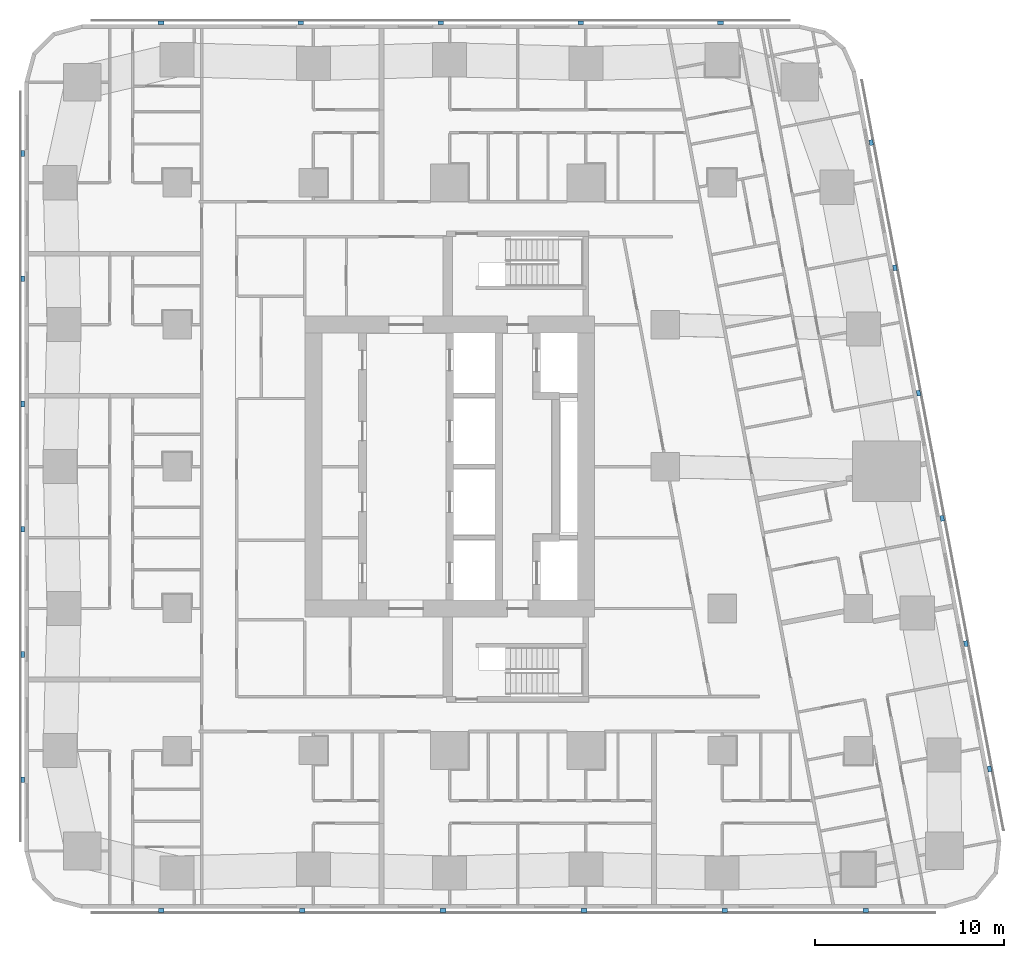
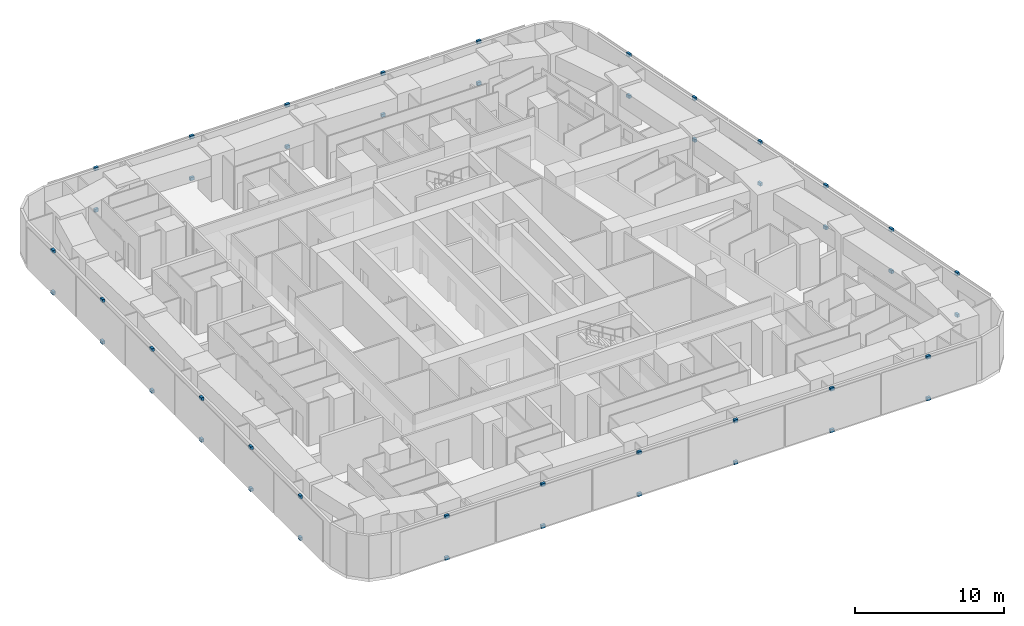
# One storey, part 11 of 14: 46 discrete accessories.
"""IFC4 building model written with IfcOpenShell, lengths in metres."""

from ifc_helpers import new_model, si_unit, direction, frame, origin, origin_2d, place, context, subcontext, project, spatial, rectangle, extrude, material, type_object, element, save


model = new_model("IFC4")

# Units and contexts
model_context = context("Model", 3, precision=1e-05, world=origin(), true_north=direction((0.0, 1.0)))
body_context = subcontext(model_context, "Body", "Model", "MODEL_VIEW")
ifc_project = project(units=[si_unit("LENGTHUNIT", "METRE"), si_unit("AREAUNIT", "SQUARE_METRE"), si_unit("VOLUMEUNIT", "CUBIC_METRE"), si_unit("PLANEANGLEUNIT", "RADIAN"), si_unit("MASSUNIT", "GRAM", prefix="KILO")], contexts=[model_context])

# Site, building, storey
site_placement = place(None, origin())
site = spatial("IfcSite", under=ifc_project, at=site_placement, CompositionType="ELEMENT")
building_placement = place(site_placement, origin())
building = spatial("IfcBuilding", under=site, at=building_placement, Name="Sheger Commons Tower", CompositionType="ELEMENT")
storey_placement = place(building_placement, frame((0.0, 0.0, 135.800048828125)))
storey = spatial("IfcBuildingStorey", under=building, at=storey_placement, Name="L34", CompositionType="ELEMENT", Elevation=135.800048828125)

# Discrete accessories
ifc_material = material(Name="Black painted steel bracket", Category="steel")
discrete_accessory_type = type_object("IfcDiscreteAccessoryType", Name="SCREEN BRACKET 300x200x250", PredefinedType="BRACKET", material=ifc_material)
for number, where, z_axis, x_axis, name in (
    (1, (6.37109375, -0.949951171875, -0.10009765625), (0.0, 0.0, 1.0), (1.0, 0.0, 0.0), "Solar screen foot bracket"),
    (2, (6.37109375, -0.949951171875, 3.300048828125), (0.0, 0.0, 1.0), (1.0, 0.0, 0.0), "Solar screen head bracket"),
    (3, (13.81396484375, -0.949951171875, -0.10009765625), (0.0, 0.0, 1.0), (1.0, 0.0, 0.0), "Solar screen foot bracket"),
    (4, (13.81396484375, -0.949951171875, 3.300048828125), (0.0, 0.0, 1.0), (1.0, 0.0, 0.0), "Solar screen head bracket"),
    (5, (21.257080078125, -0.949951171875, -0.10009765625), (0.0, 0.0, 1.0), (1.0, 0.0, 0.0), "Solar screen foot bracket"),
    (6, (21.257080078125, -0.949951171875, 3.300048828125), (0.0, 0.0, 1.0), (1.0, 0.0, 0.0), "Solar screen head bracket"),
    (7, (28.698974609375, -0.949951171875, -0.10009765625), (0.0, 0.0, 1.0), (1.0, 0.0, 0.0), "Solar screen foot bracket"),
    (8, (28.698974609375, -0.949951171875, 3.300048828125), (0.0, 0.0, 1.0), (1.0, 0.0, 0.0), "Solar screen head bracket"),
    (9, (36.14208984375, -0.949951171875, -0.10009765625), (0.0, 0.0, 1.0), (1.0, 0.0, 0.0), "Solar screen foot bracket"),
    (10, (36.14208984375, -0.949951171875, 3.300048828125), (0.0, 0.0, 1.0), (1.0, 0.0, 0.0), "Solar screen head bracket"),
    (11, (43.5849609375, -0.949951171875, -0.10009765625), (0.0, 0.0, 1.0), (1.0, 0.0, 0.0), "Solar screen foot bracket"),
    (12, (43.5849609375, -0.949951171875, 3.300048828125), (0.0, 0.0, 1.0), (1.0, 0.0, 0.0), "Solar screen head bracket"),
    (13, (50.134033203125, 6.527099609375, -0.10009765625), (0.0, 0.0, 1.0), (-0.185615165645, 0.982622516678, 0.0), "Solar screen foot bracket"),
    (14, (50.134033203125, 6.527099609375, 3.300048828125), (0.0, 0.0, 1.0), (-0.185615165645, 0.982622516678, 0.0), "Solar screen head bracket"),
    (15, (48.884033203125, 13.14599609375, -0.10009765625), (0.0, 0.0, 1.0), (-0.185615165645, 0.982622516678, 0.0), "Solar screen foot bracket"),
    (16, (48.884033203125, 13.14599609375, 3.300048828125), (0.0, 0.0, 1.0), (-0.185615165645, 0.982622516678, 0.0), "Solar screen head bracket"),
    (17, (47.633056640625, 19.76611328125, -0.10009765625), (0.0, 0.0, 1.0), (-0.185615165645, 0.982622516678, 0.0), "Solar screen foot bracket"),
    (18, (47.633056640625, 19.76611328125, 3.300048828125), (0.0, 0.0, 1.0), (-0.185615165645, 0.982622516678, 0.0), "Solar screen head bracket"),
    (19, (46.383056640625, 26.385009765625, -0.10009765625), (0.0, 0.0, 1.0), (-0.185615165645, 0.982622516678, 0.0), "Solar screen foot bracket"),
    (20, (46.383056640625, 26.385009765625, 3.300048828125), (0.0, 0.0, 1.0), (-0.185615165645, 0.982622516678, 0.0), "Solar screen head bracket"),
    (21, (45.133056640625, 33.0048828125, -0.10009765625), (0.0, 0.0, 1.0), (-0.185615165645, 0.982622516678, 0.0), "Solar screen foot bracket"),
    (22, (45.133056640625, 33.0048828125, 3.300048828125), (0.0, 0.0, 1.0), (-0.185615165645, 0.982622516678, 0.0), "Solar screen head bracket"),
    (23, (43.882080078125, 39.6240234375, -0.10009765625), (0.0, 0.0, 1.0), (-0.185615165645, 0.982622516678, 0.0), "Solar screen foot bracket"),
    (24, (43.882080078125, 39.6240234375, 3.300048828125), (0.0, 0.0, 1.0), (-0.185615165645, 0.982622516678, 0.0), "Solar screen head bracket"),
    (25, (35.9208984375, 45.949951171875, -0.10009765625), (0.0, 0.0, 1.0), (-1.0, 0.0, 0.0), "Solar screen foot bracket"),
    (26, (35.9208984375, 45.949951171875, 3.300048828125), (0.0, 0.0, 1.0), (-1.0, 0.0, 0.0), "Solar screen head bracket"),
    (27, (28.528076171875, 45.949951171875, -0.10009765625), (0.0, 0.0, 1.0), (-1.0, 0.0, 0.0), "Solar screen foot bracket"),
    (28, (28.528076171875, 45.949951171875, 3.300048828125), (0.0, 0.0, 1.0), (-1.0, 0.0, 0.0), "Solar screen head bracket"),
    (29, (21.134033203125, 45.949951171875, -0.10009765625), (0.0, 0.0, 1.0), (-1.0, 0.0, 0.0), "Solar screen foot bracket"),
    (30, (21.134033203125, 45.949951171875, 3.300048828125), (0.0, 0.0, 1.0), (-1.0, 0.0, 0.0), "Solar screen head bracket"),
    (31, (13.739990234375, 45.949951171875, -0.10009765625), (0.0, 0.0, 1.0), (-1.0, 0.0, 0.0), "Solar screen foot bracket"),
    (32, (13.739990234375, 45.949951171875, 3.300048828125), (0.0, 0.0, 1.0), (-1.0, 0.0, 0.0), "Solar screen head bracket"),
    (33, (6.346923828125, 45.949951171875, -0.10009765625), (0.0, 0.0, 1.0), (-1.0, 0.0, 0.0), "Solar screen foot bracket"),
    (34, (6.346923828125, 45.949951171875, 3.300048828125), (0.0, 0.0, 1.0), (-1.0, 0.0, 0.0), "Solar screen head bracket"),
    (35, (-0.949951171875, 39.0419921875, -0.10009765625), (0.0, 0.0, 1.0), (0.0, -1.0, 0.0), "Solar screen foot bracket"),
    (36, (-0.949951171875, 39.0419921875, 3.300048828125), (0.0, 0.0, 1.0), (0.0, -1.0, 0.0), "Solar screen head bracket"),
    (37, (-0.949951171875, 32.425048828125, -0.10009765625), (0.0, 0.0, 1.0), (0.0, -1.0, 0.0), "Solar screen foot bracket"),
    (38, (-0.949951171875, 32.425048828125, 3.300048828125), (0.0, 0.0, 1.0), (0.0, -1.0, 0.0), "Solar screen head bracket"),
    (39, (-0.949951171875, 25.80810546875, -0.10009765625), (0.0, 0.0, 1.0), (0.0, -1.0, 0.0), "Solar screen foot bracket"),
    (40, (-0.949951171875, 25.80810546875, 3.300048828125), (0.0, 0.0, 1.0), (0.0, -1.0, 0.0), "Solar screen head bracket"),
    (41, (-0.949951171875, 19.19189453125, -0.10009765625), (0.0, 0.0, 1.0), (0.0, -1.0, 0.0), "Solar screen foot bracket"),
    (42, (-0.949951171875, 19.19189453125, 3.300048828125), (0.0, 0.0, 1.0), (0.0, -1.0, 0.0), "Solar screen head bracket"),
    (43, (-0.949951171875, 12.574951171875, -0.10009765625), (0.0, 0.0, 1.0), (0.0, -1.0, 0.0), "Solar screen foot bracket"),
    (44, (-0.949951171875, 12.574951171875, 3.300048828125), (0.0, 0.0, 1.0), (0.0, -1.0, 0.0), "Solar screen head bracket"),
    (45, (-0.949951171875, 5.9580078125, -0.10009765625), (0.0, 0.0, 1.0), (0.0, -1.0, 0.0), "Solar screen foot bracket"),
    (46, (-0.949951171875, 5.9580078125, 3.300048828125), (0.0, 0.0, 1.0), (0.0, -1.0, 0.0), "Solar screen head bracket"),
):
    element("IfcDiscreteAccessory", number, at=place(storey_placement, frame(where, z_axis=z_axis, x_axis=x_axis)), inside=storey, type_object=discrete_accessory_type, Name=name, PredefinedType="BRACKET", context=body_context, shape_type="SweptSolid", body=[
        extrude(rectangle(XDim=0.300048828125, YDim=0.199951171875, at=origin_2d()), origin(), (0.0, 0.0, 1.0), 0.25),
    ])

save(model, "model.ifc")
